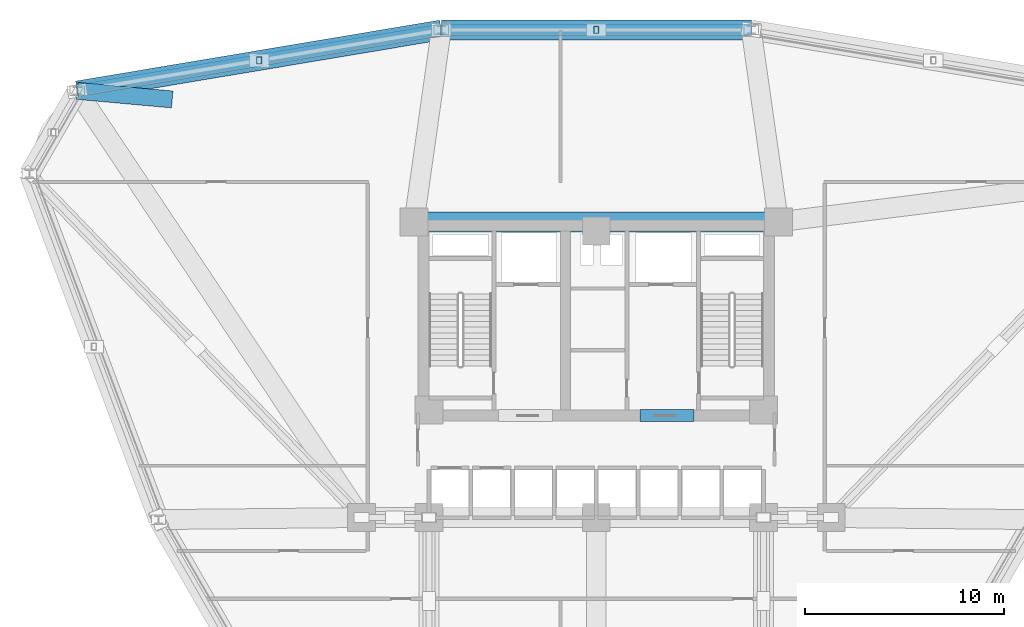
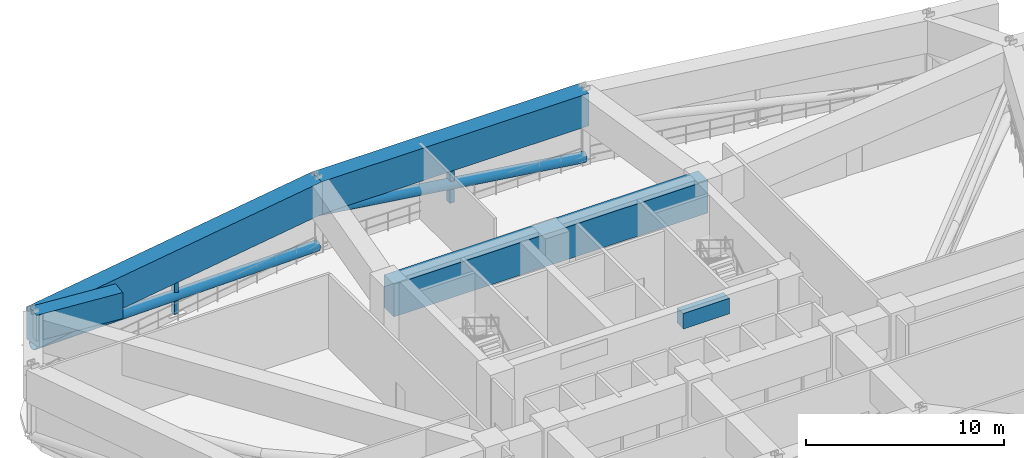
# One storey, part 5 of 12: 5 beams, 4 members.
"""IFC4 building model written with IfcOpenShell, lengths in metres."""

from ifc_helpers import new_model, si_unit, derived_unit, direction, frame, origin, origin_2d, place, context, subcontext, project, spatial, rectangle, hollow_rectangle, hollow_circle, extrude, source, transform, mapped, material, material_profile, profile_set, type_object, element, save


model = new_model("IFC4")

# Units and contexts
model_context = context("Model", 3, precision=1e-05, world=origin(), true_north=direction((0.0, 1.0)))
body_context = subcontext(model_context, "Body", "Model", "MODEL_VIEW")
ifc_project = project(units=[si_unit("LENGTHUNIT", "METRE"), si_unit("AREAUNIT", "SQUARE_METRE"), si_unit("VOLUMEUNIT", "CUBIC_METRE"), si_unit("PLANEANGLEUNIT", "RADIAN"), si_unit("MASSUNIT", "GRAM", prefix="KILO"), derived_unit("THERMALTRANSMITTANCEUNIT", [(si_unit("POWERUNIT", "WATT"), 1), (si_unit("LENGTHUNIT", "METRE"), -2), (si_unit("THERMODYNAMICTEMPERATUREUNIT", "KELVIN"), -1)])], contexts=[model_context])

# Site, building, storey
site_placement = place(None, origin())
site = spatial("IfcSite", under=ifc_project, at=site_placement, CompositionType="ELEMENT")
building_placement = place(site_placement, origin())
building = spatial("IfcBuilding", under=site, at=building_placement, Name="Korsvarv Bourse and Concert Hall", CompositionType="ELEMENT")
storey_placement = place(building_placement, frame((0.0, 0.0, 59.10009765625)))
storey = spatial("IfcBuildingStorey", under=building, at=storey_placement, Name="L14", CompositionType="ELEMENT", Elevation=59.10009765625)

# Beams
ifc_material_1 = material(Name="Concrete C55/67", Category="concrete")
ifc_material_profile_1 = material_profile(ifc_material_1, rectangle(XDim=0.60009765625, YDim=0.949951171875, at=origin_2d()), Name="RC-BM 600x950")
ifc_profile_set_1 = profile_set([ifc_material_profile_1], Name="Concrete C55/67")
beam_type_1 = type_object("IfcBeamType", Name="BM-CPL", PredefinedType="LINTEL", material=ifc_profile_set_1)
shared_shape_1 = source(origin(), body_context, "Body", "SweptSolid", [
    extrude(rectangle(XDim=0.60009765625, YDim=0.949951171875, at=origin_2d()), origin(), (0.0, 0.0, 1.0), 2.699951171875),
])
beam_1_placement = place(storey_placement, frame((38.199951171875, 37.52490234375, 4.10498046875), z_axis=(1.0, 0.0, 0.0), x_axis=(0.0, 1.0, 0.0)))
element("IfcBeam", 1, at=beam_1_placement, inside=storey, type_object=beam_type_1, Name="L14 Core Coupling Beam East", PredefinedType="LINTEL", context=body_context, shape_type="MappedRepresentation", body=[
    mapped(shared_shape_1, transform((0.0, 0.0, 0.0), scale=1.0)),
])
ifc_material_2 = material(Name="Concrete C60/75", Category="concrete")
ifc_material_profile_2 = material_profile(ifc_material_2, rectangle(XDim=1.0, YDim=2.0, at=origin_2d()), Name="RC-BM 1000x2000")
ifc_profile_set_2 = profile_set([ifc_material_profile_2], Name="Concrete C60/75")
beam_type_2 = type_object("IfcBeamType", Name="BM-TR1", PredefinedType="BEAM", material=ifc_profile_set_2)
shared_shape_2 = source(origin(), body_context, "Body", "SweptSolid", [
    extrude(rectangle(XDim=1.0, YDim=2.0, at=origin_2d()), origin(), (0.0, 0.0, 1.0), 18.2998046875),
])
beam_2_placement = place(storey_placement, frame((26.85009765625, 47.25, 3.56982421875), z_axis=(1.0, 0.0, 0.0), x_axis=(0.0, 1.0, 0.0)))
element("IfcBeam", 2, at=beam_2_placement, inside=storey, type_object=beam_type_2, Name="L14 beam B-TR1", PredefinedType="BEAM", context=body_context, shape_type="MappedRepresentation", body=[
    mapped(shared_shape_2, transform((0.0, 0.0, 0.0), scale=1.0)),
])
shared_shape_3 = source(origin(), body_context, "Body", "SweptSolid", [
    extrude(rectangle(XDim=1.0, YDim=2.0, at=origin_2d()), origin(), (0.0, 0.0, 1.0), 18.538818359375),
])
beam_3_placement = place(storey_placement, frame((28.21533203125, 56.889404296875, 3.56982421875), z_axis=(-0.98627657502, -0.16510153714, 0.0), x_axis=(0.16510153714, -0.98627657502, 0.0)))
element("IfcBeam", 3, at=beam_3_placement, inside=storey, type_object=beam_type_2, Name="L14 beam B-TR1", PredefinedType="BEAM", context=body_context, shape_type="MappedRepresentation", body=[
    mapped(shared_shape_3, transform((0.0, 0.0, 0.0), scale=1.0)),
])
shared_shape_4 = source(origin(), body_context, "Body", "SweptSolid", [
    extrude(rectangle(XDim=1.0, YDim=2.0, at=origin_2d()), origin(), (0.0, 0.0, 1.0), 15.5693359375),
])
beam_4_placement = place(storey_placement, frame((43.78466796875, 56.889404296875, 3.56982421875), z_axis=(-1.0, 0.0, 0.0), x_axis=(0.0, -1.0, 0.0)))
element("IfcBeam", 4, at=beam_4_placement, inside=storey, type_object=beam_type_2, Name="L14 beam B-TR1", PredefinedType="BEAM", context=body_context, shape_type="MappedRepresentation", body=[
    mapped(shared_shape_4, transform((0.0, 0.0, 0.0), scale=1.0)),
])
ifc_material_profile_3 = material_profile(ifc_material_1, rectangle(XDim=0.85009765625, YDim=1.60009765625, at=origin_2d()), Name="RC-BM 850x1600")
ifc_profile_set_3 = profile_set([ifc_material_profile_3], Name="Concrete C55/67")
beam_type_3 = type_object("IfcBeamType", Name="BM-TR1B", PredefinedType="BEAM", material=ifc_profile_set_3)
shared_shape_5 = source(origin(), body_context, "Body", "SweptSolid", [
    extrude(rectangle(XDim=0.85009765625, YDim=1.60009765625, at=origin_2d()), origin(), (0.0, 0.0, 1.0), 4.790771484375),
])
beam_5_placement = place(storey_placement, frame((9.930908203125, 53.82861328125, 3.77001953125), z_axis=(0.995965152398, -0.08974082242, 0.0), x_axis=(0.08974082242, 0.995965152398, 0.0)))
element("IfcBeam", 5, at=beam_5_placement, inside=storey, type_object=beam_type_3, Name="L14 Block-Shift Transfer Girder 5", PredefinedType="BEAM", context=body_context, shape_type="MappedRepresentation", body=[
    mapped(shared_shape_5, transform((0.0, 0.0, 0.0), scale=1.0)),
])

# Members
ifc_material_3 = material(Name="Steel S355", Category="steel")
ifc_material_profile_4 = material_profile(ifc_material_3, hollow_rectangle(XDim=0.25, YDim=0.35009765625, WallThickness=0.012451171875, at=origin_2d()), Name="RHS 350x250x12.5")
ifc_profile_set_4 = profile_set([ifc_material_profile_4], Name="Steel S355")
member_type_1 = type_object("IfcMemberType", Name="MEM-RHS350", PredefinedType="STRUT", material=ifc_profile_set_4)
shared_shape_6 = source(origin(), body_context, "Body", "SweptSolid", [
    extrude(hollow_rectangle(XDim=0.25, YDim=0.35009765625, WallThickness=0.012451171875, at=origin_2d()), origin(), (0.0, 0.0, 1.0), 2.170166015625),
])
for number, where, z_axis, x_axis, name in (
    (6, (36.0, 56.889404296875, 0.349853515625), (0.0, 0.0, 1.0), (1.0, 0.0, 0.0), "L14 Perimeter Belt Truss Strut 3"),
    (7, (19.072998046875, 55.35888671875, 0.349853515625), (0.0, 0.0, 1.0), (1.0, 0.0, 0.0), "L14 Perimeter Belt Truss Strut 4"),
):
    element("IfcMember", number, at=place(storey_placement, frame(where, z_axis=z_axis, x_axis=x_axis)), inside=storey, type_object=member_type_1, Name=name, PredefinedType="STRUT", context=body_context, shape_type="MappedRepresentation", body=[
        mapped(shared_shape_6, transform((0.0, 0.0, 0.0), scale=1.0)),
    ])
ifc_material_4 = material(Name="Steel S460", Category="steel")
ifc_material_profile_5 = material_profile(ifc_material_4, hollow_circle(Radius=0.304931640625, WallThickness=0.02490234375, at=origin_2d()), Name="CHS 610x25")
ifc_profile_set_5 = profile_set([ifc_material_profile_5], Name="Steel S460")
member_type_2 = type_object("IfcMemberType", Name="MEM-CHS610", PredefinedType="BRACE", material=ifc_profile_set_5)
shared_shape_7 = source(origin(), body_context, "Body", "SweptSolid", [
    extrude(hollow_circle(Radius=0.304931640625, WallThickness=0.02490234375, at=origin_2d()), origin(), (0.0, 0.0, 1.0), 18.66552734375),
])
member_1_placement = place(storey_placement, frame((28.21533203125, 56.889404296875, 0.349853515625), z_axis=(-0.979587687363, -0.163981825224, 0.116266606398), x_axis=(0.16510153714, -0.98627657502, 0.0)))
element("IfcMember", 8, at=member_1_placement, inside=storey, type_object=member_type_2, Name="L14 Perimeter Belt Truss Diagonal 4", PredefinedType="BRACE", context=body_context, shape_type="MappedRepresentation", body=[
    mapped(shared_shape_7, transform((0.0, 0.0, 0.0), scale=1.0)),
])
shared_shape_8 = source(origin(), body_context, "Body", "SweptSolid", [
    extrude(hollow_circle(Radius=0.304931640625, WallThickness=0.02490234375, at=origin_2d()), origin(), (0.0, 0.0, 1.0), 15.719970703125),
])
member_2_placement = place(storey_placement, frame((43.78466796875, 56.889404296875, 0.349853515625), z_axis=(-0.990424906003, 0.0, 0.138052546407), x_axis=(0.0, -1.0, 0.0)))
element("IfcMember", 9, at=member_2_placement, inside=storey, type_object=member_type_2, Name="L14 Perimeter Belt Truss Diagonal 3", PredefinedType="BRACE", context=body_context, shape_type="MappedRepresentation", body=[
    mapped(shared_shape_8, transform((0.0, 0.0, 0.0), scale=1.0)),
])

save(model, "model.ifc")
